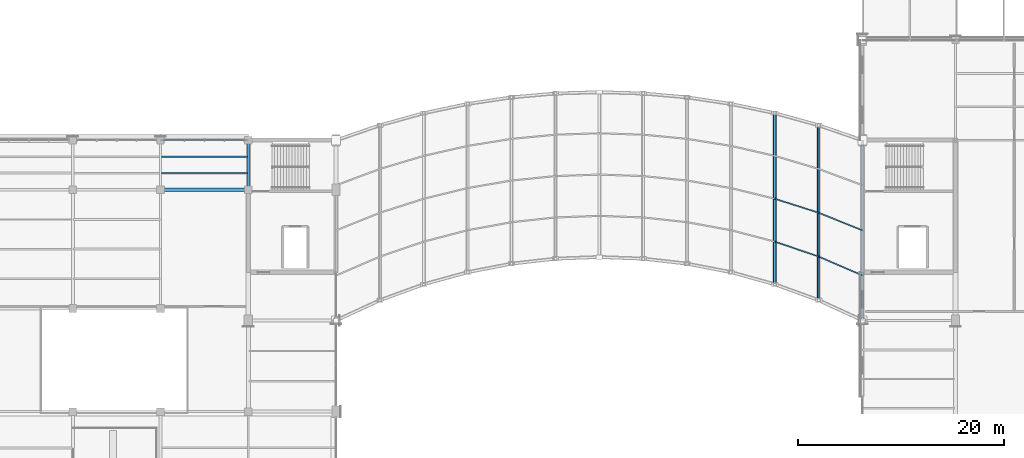
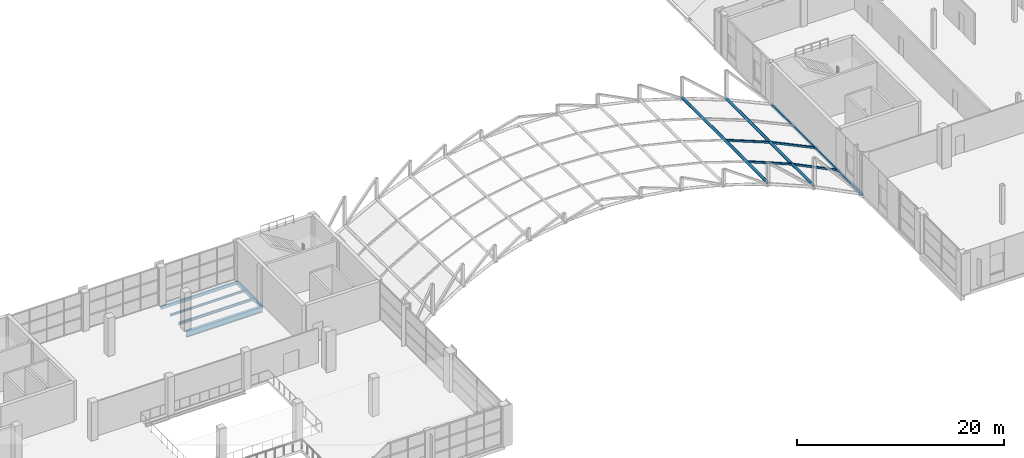
# One storey, part 31 of 101: 6 beams, 6 members.
"""IFC4 building model written with IfcOpenShell, lengths in metres."""

import ifcopenshell
import ifcopenshell.guid

model = None  # the IFC model being written
_history = None  # IfcOwnerHistory: only IFC2X3 demands one
_inside = {}  # id of a spatial element -> (the spatial element, [elements in it])
_under = {}  # id of a project, library or spatial element -> (it, [spatial elements below it])
_declared = {}  # id of a project -> (the project, [libraries it declares])
_typed = {}  # id of a type object -> (the type object, [elements of that type])
_made_of = {}  # id of a material, layer set ... -> (it, [elements and type objects made of it])


def new_model(schema):
    """Start an empty IFC model of exactly this schema.

    Asked for "IFC4X3", IfcOpenShell would pick the latest addendum, in which some entities
    have other attributes; the version numbers below select the first issue.
    IFC2X3 requires an IfcOwnerHistory on every rooted entity: one is made here for all.
    """
    global model, _history
    if schema == "IFC4X3":
        model = ifcopenshell.file(schema_version=(4, 3, 0, 0))
    else:
        model = ifcopenshell.file(schema=schema)
    _inside.clear()
    _under.clear()
    _declared.clear()
    _typed.clear()
    _made_of.clear()
    _history = None
    if model.schema == "IFC2X3":
        org = make("IfcOrganization", Name="unknown")
        user = make(
            "IfcPersonAndOrganization",
            ThePerson=make("IfcPerson", FamilyName="unknown"),
            TheOrganization=org,
        )
        app = make(
            "IfcApplication",
            ApplicationDeveloper=org,
            Version="unknown",
            ApplicationFullName="unknown",
            ApplicationIdentifier="unknown",
        )
        _history = make(
            "IfcOwnerHistory",
            OwningUser=user,
            OwningApplication=app,
            ChangeAction="ADDED",
            CreationDate=0,
        )
    return model


def make(cls, **values):
    """One entity of the class cls with the attributes given. An attribute that is None is left unset."""
    return model.create_entity(
        cls, **{name: value for name, value in values.items() if value is not None}
    )


def rooted(cls, **values):
    """An entity with a GlobalId (a new one), such as an element, a storey or a relation."""
    return make(cls, GlobalId=ifcopenshell.guid.new(), OwnerHistory=_history, **values)


def si_unit(unit_type, name, prefix=None):
    """IfcSIUnit, for example si_unit("LENGTHUNIT", "METRE", prefix="MILLI")."""
    return make("IfcSIUnit", UnitType=unit_type, Prefix=prefix, Name=name)


def assignment(units):
    """IfcUnitAssignment: the units of a project."""
    return None if units is None else make("IfcUnitAssignment", Units=units)


def point(xyz):
    """IfcCartesianPoint."""
    return None if xyz is None else make("IfcCartesianPoint", Coordinates=xyz)


def direction(xyz):
    """IfcDirection."""
    return None if xyz is None else make("IfcDirection", DirectionRatios=xyz)


def frame(location, z_axis=None, x_axis=None):
    """IfcAxis2Placement3D, a coordinate frame: its origin and axes. An axis left out is left unset."""
    return make(
        "IfcAxis2Placement3D",
        Location=point(location),
        Axis=direction(z_axis),
        RefDirection=direction(x_axis),
    )


def frame_2d(location, x_axis=None):
    """IfcAxis2Placement2D, a coordinate frame in the plane: its origin and x axis."""
    return make(
        "IfcAxis2Placement2D", Location=point(location), RefDirection=direction(x_axis)
    )


def origin():
    """The frame at (0, 0, 0) with its axes left unset."""
    return frame((0.0, 0.0, 0.0))


def origin_2d():
    """The frame at (0, 0) in the plane with its x axis left unset."""
    return frame_2d((0.0, 0.0))


def place(relative_to, where):
    """IfcLocalPlacement: puts the frame where relative to a parent placement (None: the world)."""
    return make(
        "IfcLocalPlacement", PlacementRelTo=relative_to, RelativePlacement=where
    )


def context(
    kind, dimensions, precision=None, world=None, true_north=None, identifier=None
):
    """IfcGeometricRepresentationContext, for example the 3D "Model" context."""
    return make(
        "IfcGeometricRepresentationContext",
        ContextIdentifier=identifier,
        ContextType=kind,
        CoordinateSpaceDimension=dimensions,
        Precision=precision,
        WorldCoordinateSystem=world,
        TrueNorth=true_north,
    )


def subcontext(parent, identifier, kind, view, scale=None):
    """IfcGeometricRepresentationSubContext, for example "Body" below "Model"."""
    return make(
        "IfcGeometricRepresentationSubContext",
        ContextIdentifier=identifier,
        ContextType=kind,
        ParentContext=parent,
        TargetScale=scale,
        TargetView=view,
    )


def project(units=None, contexts=None):
    """IfcProject with its units and contexts."""
    return rooted(
        "IfcProject",
        Name="project",
        RepresentationContexts=contexts,
        UnitsInContext=assignment(units),
    )


def spatial(cls, under=None, at=None, **own):
    """A site, building, storey or space (cls), placed at a placement, below another one or the project."""
    s = rooted(cls, ObjectPlacement=at, **own)
    if under is not None:
        _under.setdefault(under.id(), (under, []))[1].append(s)
    return s


def profile(cls, at=None, kind="AREA", **sizes):
    """A parametric profile (cls). Its sizes go by their IFC names, for example OverallWidth=200.0."""
    return make(cls, ProfileType=kind, Position=at, **sizes)


def hollow_rectangle(**sizes):
    """IfcRectangleHollowProfileDef."""
    return profile("IfcRectangleHollowProfileDef", **sizes)


def hollow_circle(**sizes):
    """IfcCircleHollowProfileDef."""
    return profile("IfcCircleHollowProfileDef", **sizes)


def i_section(**sizes):
    """IfcIShapeProfileDef."""
    return profile("IfcIShapeProfileDef", **sizes)


def extrude(swept, where, along, depth):
    """IfcExtrudedAreaSolid: the profile swept, set in the frame where, extruded along a direction by depth."""
    return make(
        "IfcExtrudedAreaSolid",
        SweptArea=swept,
        Position=where,
        ExtrudedDirection=direction(along),
        Depth=depth,
    )


def shape(context_of_items, identifier, shape_type, items):
    """IfcShapeRepresentation: the items that make up one representation, for example the "Body"."""
    return make(
        "IfcShapeRepresentation",
        ContextOfItems=context_of_items,
        RepresentationIdentifier=identifier,
        RepresentationType=shape_type,
        Items=items,
    )


def material(Name=None, Category=None):
    """IfcMaterial."""
    return make("IfcMaterial", Name=Name, Category=Category)


def material_profile(
    of_material, cross_section, Name=None, Category=None, Priority=None
):
    """IfcMaterialProfile: a cross section and its material."""
    return make(
        "IfcMaterialProfile",
        Name=Name,
        Material=of_material,
        Profile=cross_section,
        Priority=Priority,
        Category=Category,
    )


def profile_set(profiles, Name=None, composite=None):
    """IfcMaterialProfileSet."""
    return make(
        "IfcMaterialProfileSet",
        Name=Name,
        MaterialProfiles=profiles,
        CompositeProfile=composite,
    )


def made_of(thing, what):
    """Note that an element or type object is made of a material, layer set ...; save() writes the relation."""
    if what is not None:
        _made_of.setdefault(what.id(), (what, []))[1].append(thing)
    return thing


def type_object(cls, material=None, **own):
    """A type object (cls), such as IfcWallType, which elements share."""
    return made_of(rooted(cls, **own), material)


def element(
    cls,
    number,
    at=None,
    inside=None,
    cuts=None,
    type_object=None,
    material=None,
    context=None,
    identifier="Body",
    shape_type=None,
    held_by="IfcProductDefinitionShape",
    body=None,
    shapes=None,
    **own,
):
    """One element of the class cls, such as IfcWall. Its Tag is "e" and its number.

    at: its placement. inside: the storey or other place that contains it. cuts: it is an
    opening in that element (IfcRelVoidsElement). A single representation is given by context,
    identifier, shape_type and body (its items); several are given by shapes. held_by: the class
    of the entity that holds the representations. save() writes the other relations.
    """
    e = rooted(cls, Tag="e%d" % number, ObjectPlacement=at, **own)
    if body is not None:
        shapes = [shape(context, identifier, shape_type, body)]
    if shapes is not None:
        e.Representation = make(held_by, Representations=shapes)
    if inside is not None:
        _inside.setdefault(inside.id(), (inside, []))[1].append(e)
    if cuts is not None:
        rooted(
            "IfcRelVoidsElement", RelatingBuildingElement=cuts, RelatedOpeningElement=e
        )
    if type_object is not None:
        _typed.setdefault(type_object.id(), (type_object, []))[1].append(e)
    return made_of(e, material)


def aggregate(whole, parts):
    """IfcRelAggregates: a whole, such as a stair, and the parts it consists of."""
    return rooted("IfcRelAggregates", RelatingObject=whole, RelatedObjects=parts)


def save(model, path):
    """Write the relations noted so far, then the file.

    IfcRelAggregates (storeys below a building ...), IfcRelContainedInSpatialStructure (elements
    in a storey), IfcRelDefinesByType, IfcRelAssociatesMaterial and IfcRelDeclares: one each for
    every whole, place, type object, material and project.
    """
    for whole, parts in _under.values():
        aggregate(whole, parts)
    for where, things in _inside.values():
        rooted(
            "IfcRelContainedInSpatialStructure",
            RelatedElements=things,
            RelatingStructure=where,
        )
    for kind, things in _typed.values():
        rooted("IfcRelDefinesByType", RelatedObjects=things, RelatingType=kind)
    for what, things in _made_of.values():
        rooted("IfcRelAssociatesMaterial", RelatedObjects=things, RelatingMaterial=what)
    for by, libraries in _declared.values():
        rooted("IfcRelDeclares", RelatingContext=by, RelatedDefinitions=libraries)
    model.write(path)


model = new_model("IFC4")

# Units and contexts
model_context = context("Model", 3, precision=1e-05, world=origin(), true_north=direction((0.0, 1.0)))
body_context = subcontext(model_context, "Body", "Model", "MODEL_VIEW")
ifc_project = project(units=[si_unit("LENGTHUNIT", "METRE"), si_unit("AREAUNIT", "SQUARE_METRE"), si_unit("VOLUMEUNIT", "CUBIC_METRE"), si_unit("PLANEANGLEUNIT", "RADIAN"), si_unit("MASSUNIT", "GRAM", prefix="KILO")], contexts=[model_context])

# Site, building, storey
site_placement = place(None, origin())
site = spatial("IfcSite", under=ifc_project, at=site_placement, CompositionType="ELEMENT")
building_placement = place(site_placement, origin())
building = spatial("IfcBuilding", under=site, at=building_placement, Name="Solvikara Media Centre", CompositionType="ELEMENT")
storey_placement = place(building_placement, frame((0.0, 0.0, 10.199951171875)))
storey = spatial("IfcBuildingStorey", under=building, at=storey_placement, Name="L02", CompositionType="ELEMENT", Elevation=10.199951171875)

# Beams
ifc_material = material(Name="Steel S355JR", Category="steel")
ifc_material_profile_1 = material_profile(ifc_material, i_section(OverallWidth=0.14990234375, OverallDepth=0.300048828125, WebThickness=0.006591796875, FlangeThickness=0.009033203125, at=origin_2d()), Name="WF 300x150x6.5x9")
ifc_profile_set_1 = profile_set([ifc_material_profile_1], Name="Steel S355JR")
beam_type_1 = type_object("IfcBeamType", Name="BM-23", PredefinedType="JOIST", material=ifc_profile_set_1)
beam_1_placement = place(storey_placement, frame((59.577880859375, 33.60009765625, -0.431884765625), z_axis=(1.0, 0.0, 0.0), x_axis=(0.0, 1.0, 0.0)))
element("IfcBeam", 1, at=beam_1_placement, inside=storey, type_object=beam_type_1, Name="J-L02-1115", PredefinedType="JOIST", context=body_context, shape_type="SweptSolid", body=[
    extrude(i_section(OverallWidth=0.14990234375, OverallDepth=0.300048828125, WebThickness=0.006591796875, FlangeThickness=0.009033203125, at=origin_2d()), origin(), (0.0, 0.0, 1.0), 8.34423828125),
])
ifc_material_profile_2 = material_profile(ifc_material, i_section(OverallWidth=0.125, OverallDepth=0.25, WebThickness=0.006103515625, FlangeThickness=0.009033203125, at=origin_2d()), Name="WF 250x125x6x9")
ifc_profile_set_2 = profile_set([ifc_material_profile_2], Name="Steel S355JR")
beam_type_2 = type_object("IfcBeamType", Name="BM-24", PredefinedType="JOIST", material=ifc_profile_set_2)
beam_2_placement = place(storey_placement, frame((59.577880859375, 35.199951171875, -0.406982421875), z_axis=(1.0, 0.0, 0.0), x_axis=(0.0, 1.0, 0.0)))
element("IfcBeam", 2, at=beam_2_placement, inside=storey, type_object=beam_type_2, Name="J-L02-1116", PredefinedType="JOIST", context=body_context, shape_type="SweptSolid", body=[
    extrude(i_section(OverallWidth=0.125, OverallDepth=0.25, WebThickness=0.006103515625, FlangeThickness=0.009033203125, at=origin_2d()), origin(), (0.0, 0.0, 1.0), 8.34423828125),
])
ifc_material_profile_3 = material_profile(ifc_material, i_section(OverallWidth=0.300048828125, OverallDepth=0.69189453125, WebThickness=0.012939453125, FlangeThickness=0.02001953125, at=origin_2d()), Name="H 692x300x13x20")
ifc_profile_set_3 = profile_set([ifc_material_profile_3], Name="Steel S355JR")
beam_type_3 = type_object("IfcBeamType", Name="BM-25", PredefinedType="BEAM", material=ifc_profile_set_3)
beam_3_placement = place(storey_placement, frame((59.5, 32.0, -0.6279296875), z_axis=(1.0, 0.0, 0.0), x_axis=(0.0, 1.0, 0.0)))
element("IfcBeam", 3, at=beam_3_placement, inside=storey, type_object=beam_type_3, Name="B-L02-X0859", PredefinedType="BEAM", context=body_context, shape_type="SweptSolid", body=[
    extrude(i_section(OverallWidth=0.300048828125, OverallDepth=0.69189453125, WebThickness=0.012939453125, FlangeThickness=0.02001953125, at=origin_2d()), origin(), (0.0, 0.0, 1.0), 8.5),
])
ifc_material_profile_4 = material_profile(ifc_material, hollow_rectangle(XDim=0.199951171875, YDim=0.39990234375, WallThickness=0.011962890625, at=origin_2d()), Name="RHS 400x200x12")
ifc_profile_set_4 = profile_set([ifc_material_profile_4], Name="Steel S355JR")
beam_type_4 = type_object("IfcBeamType", Name="BM-33", PredefinedType="SPANDREL", material=ifc_profile_set_4)
beam_4_placement = place(storey_placement, frame((68.0, 32.0, -0.48193359375), z_axis=(0.0, 1.0, 0.0), x_axis=(-1.0, 0.0, 0.0)))
element("IfcBeam", 4, at=beam_4_placement, inside=storey, type_object=beam_type_4, Name="B-L02-Y0969", PredefinedType="SPANDREL", context=body_context, shape_type="SweptSolid", body=[
    extrude(hollow_rectangle(XDim=0.199951171875, YDim=0.39990234375, WallThickness=0.011962890625, at=origin_2d()), origin(), (0.0, 0.0, 1.0), 4.800048828125),
])
ifc_material_profile_5 = material_profile(ifc_material, hollow_rectangle(XDim=0.175048828125, YDim=0.35009765625, WallThickness=0.010009765625, at=origin_2d()), Name="RHS 350x175x10")
ifc_profile_set_5 = profile_set([ifc_material_profile_5], Name="Steel S355JR")
beam_type_5 = type_object("IfcBeamType", Name="BM-34", PredefinedType="SPANDREL", material=ifc_profile_set_5)
beam_5_placement = place(storey_placement, frame((59.5, 36.800048828125, -0.45703125), z_axis=(1.0, 0.0, 0.0), x_axis=(0.0, 1.0, 0.0)))
element("IfcBeam", 5, at=beam_5_placement, inside=storey, type_object=beam_type_5, Name="B-L02-X0862", PredefinedType="SPANDREL", context=body_context, shape_type="SweptSolid", body=[
    extrude(hollow_rectangle(XDim=0.175048828125, YDim=0.35009765625, WallThickness=0.010009765625, at=origin_2d()), origin(), (0.0, 0.0, 1.0), 8.5),
])
beam_6_placement = place(storey_placement, frame((127.5, 19.323974609375, -0.4169921875), z_axis=(0.0, 1.0, 0.0), x_axis=(-1.0, 0.0, 0.0)))
element("IfcBeam", 6, at=beam_6_placement, inside=storey, type_object=beam_type_5, Name="B-L02-Y0976", PredefinedType="SPANDREL", context=body_context, shape_type="SweptSolid", body=[
    extrude(hollow_rectangle(XDim=0.175048828125, YDim=0.35009765625, WallThickness=0.010009765625, at=origin_2d()), origin(), (0.0, 0.0, 1.0), 17.47607421875),
])

# Members
ifc_material_profile_6 = material_profile(ifc_material, hollow_rectangle(XDim=0.1201171875, YDim=0.219970703125, WallThickness=0.00634765625, at=origin_2d()), Name="RHS 220x120x6.3")
ifc_profile_set_6 = profile_set([ifc_material_profile_6], Name="Steel S355JR")
member_type_1 = type_object("IfcMemberType", Name="MB-16", PredefinedType="PURLIN", material=ifc_profile_set_6)
member_1_placement = place(storey_placement, frame((119.0, 26.97607421875, 1.8681640625), z_axis=(0.927316505924, -0.31684734474, -0.19922815557), x_axis=(0.323329079943, 0.946286587701, 0.0)))
element("IfcMember", 7, at=member_1_placement, inside=storey, type_object=member_type_1, Name="ARC-PRL-10-25", PredefinedType="PURLIN", context=body_context, shape_type="SweptSolid", body=[
    extrude(hollow_rectangle(XDim=0.1201171875, YDim=0.219970703125, WallThickness=0.00634765625, at=origin_2d()), origin(), (0.0, 0.0, 1.0), 4.5830078125),
])
member_2_placement = place(storey_placement, frame((119.0, 31.126953125, 1.8681640625), z_axis=(0.933277479001, -0.297975426717, -0.200508833379), x_axis=(0.304152181368, 0.952623456865, 0.0)))
element("IfcMember", 8, at=member_2_placement, inside=storey, type_object=member_type_1, Name="ARC-PRL-10-50", PredefinedType="PURLIN", context=body_context, shape_type="SweptSolid", body=[
    extrude(hollow_rectangle(XDim=0.1201171875, YDim=0.219970703125, WallThickness=0.00634765625, at=origin_2d()), origin(), (0.0, 0.0, 1.0), 4.553955078125),
])
member_3_placement = place(storey_placement, frame((123.25, 25.52392578125, 0.955078125), z_axis=(0.892857724472, -0.384624315017, -0.234241798464), x_axis=(0.395631426851, 0.918409371733, 0.0)))
element("IfcMember", 9, at=member_3_placement, inside=storey, type_object=member_type_1, Name="ARC-PRL-11-25", PredefinedType="PURLIN", context=body_context, shape_type="SweptSolid", body=[
    extrude(hollow_rectangle(XDim=0.1201171875, YDim=0.219970703125, WallThickness=0.00634765625, at=origin_2d()), origin(), (0.0, 0.0, 1.0), 4.760009765625),
])
member_4_placement = place(storey_placement, frame((123.25, 29.77001953125, 0.955078125), z_axis=(0.901545492631, -0.362316881115, -0.23652104003), x_axis=(0.37289733308, 0.927872609242, 0.0)))
element("IfcMember", 10, at=member_4_placement, inside=storey, type_object=member_type_1, Name="ARC-PRL-11-50", PredefinedType="PURLIN", context=body_context, shape_type="SweptSolid", body=[
    extrude(hollow_rectangle(XDim=0.1201171875, YDim=0.219970703125, WallThickness=0.00634765625, at=origin_2d()), origin(), (0.0, 0.0, 1.0), 4.714111328125),
])
ifc_material_profile_7 = material_profile(ifc_material, hollow_circle(Radius=0.149169921875, WallThickness=0.010009765625, at=origin_2d()), Name="CHS 298.5x10")
ifc_profile_set_7 = profile_set([ifc_material_profile_7], Name="Steel S355JR")
member_type_2 = type_object("IfcMemberType", Name="MB-28", PredefinedType="CHORD", material=ifc_profile_set_7)
member_5_placement = place(storey_placement, frame((119.0, 22.823974609375, 1.8681640625), z_axis=(0.0, 1.0, 0.0), x_axis=(-1.0, 0.0, 0.0)))
element("IfcMember", 11, at=member_5_placement, inside=storey, type_object=member_type_2, Name="ARC-RIB-10", PredefinedType="CHORD", context=body_context, shape_type="SweptSolid", body=[
    extrude(hollow_circle(Radius=0.149169921875, WallThickness=0.010009765625, at=origin_2d()), origin(), (0.0, 0.0, 1.0), 16.60693359375),
])
member_6_placement = place(storey_placement, frame((123.25, 21.279052734375, 0.955078125), z_axis=(0.0, 1.0, 0.0), x_axis=(-1.0, 0.0, 0.0)))
element("IfcMember", 12, at=member_6_placement, inside=storey, type_object=member_type_2, Name="ARC-RIB-11", PredefinedType="CHORD", context=body_context, shape_type="SweptSolid", body=[
    extrude(hollow_circle(Radius=0.149169921875, WallThickness=0.010009765625, at=origin_2d()), origin(), (0.0, 0.0, 1.0), 16.98095703125),
])

save(model, "model.ifc")
